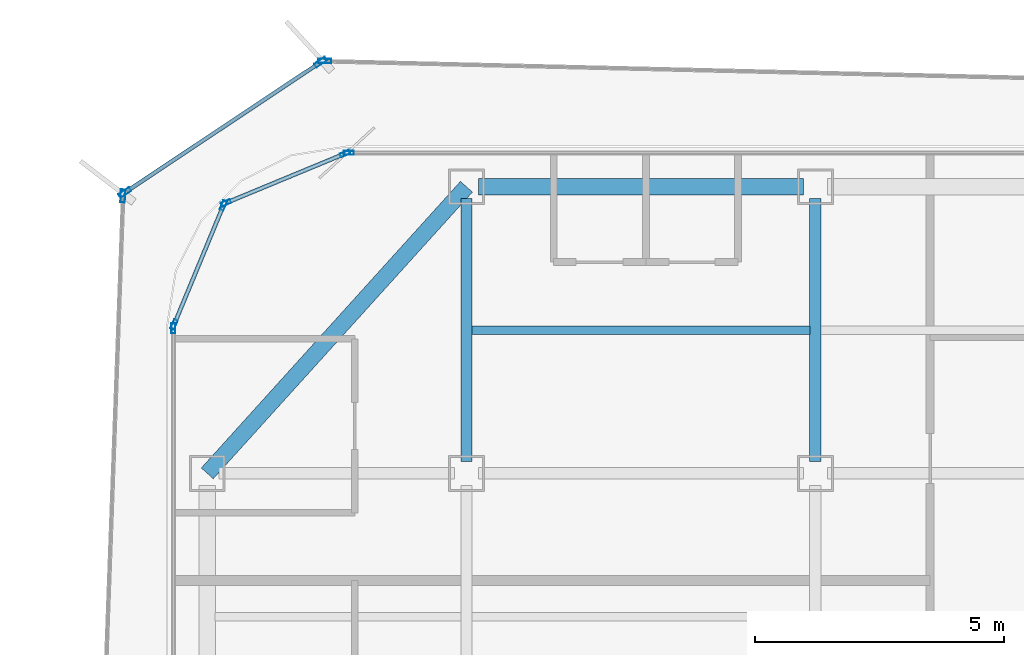
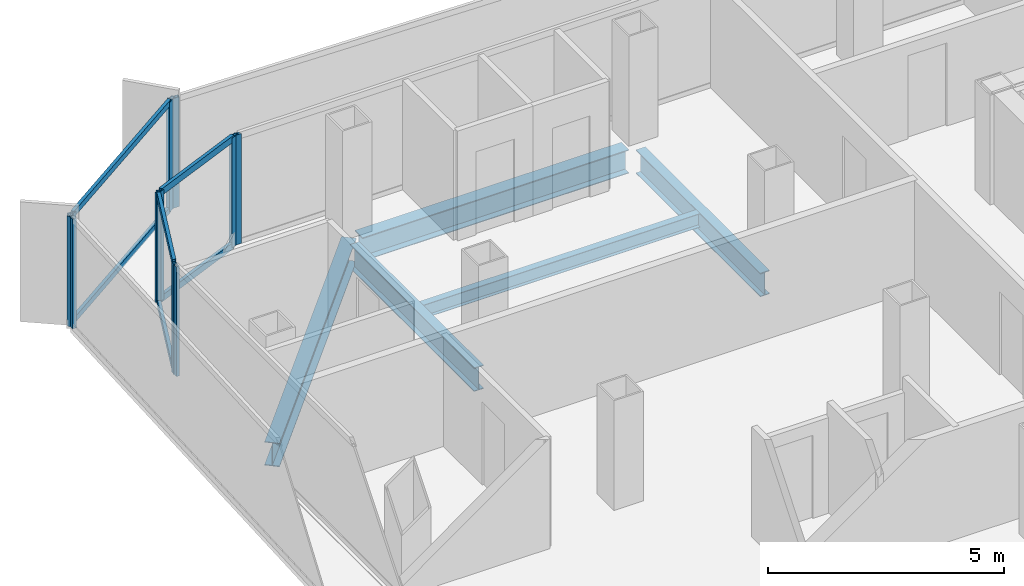
# One storey, part 6 of 16: 16 members, 5 beams, 7 elements without a shape of their own.
"""IFC4 building model written with IfcOpenShell, lengths in metres."""

from ifc_helpers import new_model, si_unit, direction, frame, origin, origin_2d, place, context, subcontext, project, spatial, hollow_rectangle, i_section, extrude, source, transform, mapped, material, layer, layer_set, material_profile, profile_set, type_object, element, aggregate, save


model = new_model("IFC4")

# Units and contexts
model_context = context("Model", 3, precision=1e-05, world=origin(), true_north=direction((0.0, 1.0)))
body_context = subcontext(model_context, "Body", "Model", "MODEL_VIEW")
ifc_project = project(units=[si_unit("LENGTHUNIT", "METRE"), si_unit("AREAUNIT", "SQUARE_METRE"), si_unit("VOLUMEUNIT", "CUBIC_METRE"), si_unit("PLANEANGLEUNIT", "RADIAN"), si_unit("MASSUNIT", "GRAM", prefix="KILO")], contexts=[model_context])

# Site, building, storey
site_placement = place(None, origin())
site = spatial("IfcSite", under=ifc_project, at=site_placement, CompositionType="ELEMENT")
building_placement = place(site_placement, origin())
building = spatial("IfcBuilding", under=site, at=building_placement, Name="Kolveth Station Tower", CompositionType="ELEMENT")
storey_placement = place(building_placement, frame((0.0, 0.0, 212.39990234375)))
storey = spatial("IfcBuildingStorey", under=building, at=storey_placement, Name="L60", CompositionType="ELEMENT", Elevation=212.39990234375)

# Beams
ifc_material_1 = material(Name="Steel S355", Category="steel")
ifc_material_profile_1 = material_profile(ifc_material_1, i_section(OverallWidth=0.323974609375, OverallDepth=0.611083984375, WebThickness=0.0126953125, FlangeThickness=0.01904296875, at=origin_2d()), Name="W610x155")
ifc_profile_set_1 = profile_set([ifc_material_profile_1], Name="Steel S355")
beam_type_1 = type_object("IfcBeamType", Name="Beam_SP2", PredefinedType="SPANDREL", material=ifc_profile_set_1)
shared_shape_1 = source(origin(), body_context, "Body", "SweptSolid", [
    extrude(i_section(OverallWidth=0.323974609375, OverallDepth=0.611083984375, WebThickness=0.0126953125, FlangeThickness=0.01904296875, at=origin_2d()), origin(), (0.0, 0.0, 1.0), 7.75244140625),
])
beam_1_placement = place(storey_placement, frame((6.0, 34.5, -0.555419921875), z_axis=(-0.670740965555, -0.74169168603, 0.0), x_axis=(0.74169168603, -0.670740965555, 0.0)))
element("IfcBeam", 1, at=beam_1_placement, inside=storey, type_object=beam_type_1, Name="L60 Corner Edge Girder BM-L60-CNR-NW", PredefinedType="SPANDREL", context=body_context, shape_type="MappedRepresentation", body=[
    mapped(shared_shape_1, transform((0.0, 0.0, 0.0), x_axis=(1.0, 0.0, 0.0), y_axis=(0.0, 1.0, 0.0), z_axis=(0.0, 0.0, 1.0), scale=1.0)),
])
shared_shape_2 = source(origin(), body_context, "Body", "SweptSolid", [
    extrude(i_section(OverallWidth=0.323974609375, OverallDepth=0.611083984375, WebThickness=0.0126953125, FlangeThickness=0.01904296875, at=origin_2d()), origin(), (0.0, 0.0, 1.0), 6.52001953125),
])
beam_2_placement = place(storey_placement, frame((6.239990234375, 34.5, -0.555419921875), z_axis=(1.0, 0.0, 0.0), x_axis=(0.0, 1.0, 0.0)))
element("IfcBeam", 2, at=beam_2_placement, inside=storey, type_object=beam_type_1, Name="L60 Perimeter Spandrel BM-L60-PN-1", PredefinedType="SPANDREL", context=body_context, shape_type="MappedRepresentation", body=[
    mapped(shared_shape_2, transform((0.0, 0.0, 0.0), x_axis=(1.0, 0.0, 0.0), y_axis=(0.0, 1.0, 0.0), z_axis=(0.0, 0.0, 1.0), scale=1.0)),
])
ifc_material_profile_2 = material_profile(ifc_material_1, i_section(OverallWidth=0.22900390625, OverallDepth=0.612060546875, WebThickness=0.011962890625, FlangeThickness=0.01953125, at=origin_2d()), Name="W610x125")
ifc_profile_set_2 = profile_set([ifc_material_profile_2], Name="Steel S355")
beam_type_2 = type_object("IfcBeamType", Name="Beam_B5", PredefinedType="BEAM", material=ifc_profile_set_2)
shared_shape_3 = source(origin(), body_context, "Body", "SweptSolid", [
    extrude(i_section(OverallWidth=0.22900390625, OverallDepth=0.612060546875, WebThickness=0.011962890625, FlangeThickness=0.01953125, at=origin_2d()), origin(), (0.0, 0.0, 1.0), 5.27001953125),
])
for number, where, z_axis, x_axis, name in (
    (3, (6.0, 28.989990234375, -0.555908203125), (0.0, 1.0, 0.0), (-1.0, 0.0, 0.0), "L60 Primary Girder BM-L60-GX60-6"),
    (4, (13.0, 28.989990234375, -0.555908203125), (0.0, 1.0, 0.0), (-1.0, 0.0, 0.0), "L60 Primary Girder BM-L60-GX130-6"),
):
    element("IfcBeam", number, at=place(storey_placement, frame(where, z_axis=z_axis, x_axis=x_axis)), inside=storey, type_object=beam_type_2, Name=name, PredefinedType="BEAM", context=body_context, shape_type="MappedRepresentation", body=[
        mapped(shared_shape_3, transform((0.0, 0.0, 0.0), x_axis=(1.0, 0.0, 0.0), y_axis=(0.0, 1.0, 0.0), z_axis=(0.0, 0.0, 1.0), scale=1.0)),
    ])
ifc_material_profile_3 = material_profile(ifc_material_1, i_section(OverallWidth=0.1708984375, OverallDepth=0.35205078125, WebThickness=0.0068359375, FlangeThickness=0.009765625, at=origin_2d()), Name="W360x44")
ifc_profile_set_3 = profile_set([ifc_material_profile_3], Name="Steel S355")
beam_type_3 = type_object("IfcBeamType", Name="Beam_J2", PredefinedType="JOIST", material=ifc_profile_set_3)
shared_shape_4 = source(origin(), body_context, "Body", "SweptSolid", [
    extrude(i_section(OverallWidth=0.1708984375, OverallDepth=0.35205078125, WebThickness=0.0068359375, FlangeThickness=0.009765625, at=origin_2d()), origin(), (0.0, 0.0, 1.0), 6.77490234375),
])
beam_3_placement = place(storey_placement, frame((6.112548828125, 31.625, -0.42578125), z_axis=(1.0, 0.0, 0.0), x_axis=(0.0, 1.0, 0.0)))
element("IfcBeam", 5, at=beam_3_placement, inside=storey, type_object=beam_type_3, Name="L60 Secondary Joist JST-L60-2-6", PredefinedType="JOIST", context=body_context, shape_type="MappedRepresentation", body=[
    mapped(shared_shape_4, transform((0.0, 0.0, 0.0), x_axis=(1.0, 0.0, 0.0), y_axis=(0.0, 1.0, 0.0), z_axis=(0.0, 0.0, 1.0), scale=1.0)),
])

# Curtain wall, member
ifc_material_2 = material(Name="Aluminium 6063-T6 and low-E dark glass", Category="aluminium")
ifc_layer_1 = layer(ifc_material_2, 0.18994140625)
ifc_layer_set_1 = layer_set([ifc_layer_1], Name="Aluminium 6063-T6 and low-E dark glass")
curtain_wall_type_1 = type_object("IfcCurtainWallType", Name="CurtainWall_CW-Z2", PredefinedType="NOTDEFINED", material=ifc_layer_set_1)
curtain_wall_1_placement = place(storey_placement, origin())
curtain_wall_1 = element("IfcCurtainWall", 6, at=curtain_wall_1_placement, inside=storey, type_object=curtain_wall_type_1, Name="L60 Inner Thermal Curtain Wall 6", PredefinedType="NOTDEFINED")
ifc_material_3 = material(Name="Black anodized aluminium 6063-T6", Category="aluminium")
ifc_material_profile_4 = material_profile(ifc_material_3, hollow_rectangle(XDim=0.080078125, YDim=0.199951171875, WallThickness=0.0048828125, at=origin_2d()), Name="ALU-80x200x5")
ifc_profile_set_4 = profile_set([ifc_material_profile_4], Name="Black anodized aluminium 6063-T6")
member_type_1 = type_object("IfcMemberType", Name="Mullion_ML2", PredefinedType="MULLION", material=ifc_profile_set_4)
shared_shape_5 = source(origin(), body_context, "Body", "SweptSolid", [
    extrude(hollow_rectangle(XDim=0.080078125, YDim=0.199951171875, WallThickness=0.0048828125, at=origin_2d()), origin(), (0.0, 0.0, 1.0), 2.840087890625),
])
member_1_placement = place(storey_placement, frame((3.639892578125, 35.179931640625, 0.0), z_axis=(0.0, 0.0, 1.0), x_axis=(0.0, -1.0, 0.0)))
member_1 = element("IfcMember", 7, at=member_1_placement, type_object=member_type_1, Name="CW-Z2 mullion 2", PredefinedType="MULLION", context=body_context, shape_type="MappedRepresentation", body=[
    mapped(shared_shape_5, transform((0.0, 0.0, 0.0), x_axis=(1.0, 0.0, 0.0), y_axis=(0.0, 1.0, 0.0), z_axis=(0.0, 0.0, 1.0), scale=1.0)),
])
aggregate(curtain_wall_1, [member_1])

# Curtain wall, members
curtain_wall_2_placement = place(storey_placement, origin())
curtain_wall_2 = element("IfcCurtainWall", 8, at=curtain_wall_2_placement, inside=storey, type_object=curtain_wall_type_1, Name="L60 Inner Thermal Curtain Wall 7", PredefinedType="NOTDEFINED")
member_2_placement = place(storey_placement, frame((3.56298828125, 35.164794921875, 0.0), z_axis=(0.0, 0.0, 1.0), x_axis=(0.382697753087, -0.923873600544, 0.0)))
member_2 = element("IfcMember", 9, at=member_2_placement, type_object=member_type_1, Name="CW-Z2 mullion 1", PredefinedType="MULLION", context=body_context, shape_type="MappedRepresentation", body=[
    mapped(shared_shape_5, transform((0.0, 0.0, 0.0), x_axis=(1.0, 0.0, 0.0), y_axis=(0.0, 1.0, 0.0), z_axis=(0.0, 0.0, 1.0), scale=1.0)),
])
member_3_placement = place(storey_placement, frame((1.17626953125, 34.176025390625, 0.0), z_axis=(0.0, 0.0, 1.0), x_axis=(0.382697753087, -0.923873600544, 0.0)))
member_3 = element("IfcMember", 10, at=member_3_placement, type_object=member_type_1, Name="CW-Z2 mullion 2", PredefinedType="MULLION", context=body_context, shape_type="MappedRepresentation", body=[
    mapped(shared_shape_5, transform((0.0, 0.0, 0.0), x_axis=(1.0, 0.0, 0.0), y_axis=(0.0, 1.0, 0.0), z_axis=(0.0, 0.0, 1.0), scale=1.0)),
])

curtain_wall_3_placement = place(storey_placement, origin())
curtain_wall_3 = element("IfcCurtainWall", 11, at=curtain_wall_3_placement, inside=storey, type_object=curtain_wall_type_1, Name="L60 Inner Thermal Curtain Wall 8", PredefinedType="NOTDEFINED")
member_4_placement = place(storey_placement, frame((1.1240234375, 34.123779296875, 0.0), z_axis=(0.0, 0.0, 1.0), x_axis=(0.923873600544, -0.382697753087, 0.0)))
member_4 = element("IfcMember", 12, at=member_4_placement, type_object=member_type_1, Name="CW-Z2 mullion 1", PredefinedType="MULLION", context=body_context, shape_type="MappedRepresentation", body=[
    mapped(shared_shape_5, transform((0.0, 0.0, 0.0), x_axis=(1.0, 0.0, 0.0), y_axis=(0.0, 1.0, 0.0), z_axis=(0.0, 0.0, 1.0), scale=1.0)),
])
member_5_placement = place(storey_placement, frame((0.13525390625, 31.737060546875, 0.0), z_axis=(0.0, 0.0, 1.0), x_axis=(0.923873600544, -0.382697753087, 0.0)))
member_5 = element("IfcMember", 13, at=member_5_placement, type_object=member_type_1, Name="CW-Z2 mullion 2", PredefinedType="MULLION", context=body_context, shape_type="MappedRepresentation", body=[
    mapped(shared_shape_5, transform((0.0, 0.0, 0.0), x_axis=(1.0, 0.0, 0.0), y_axis=(0.0, 1.0, 0.0), z_axis=(0.0, 0.0, 1.0), scale=1.0)),
])

# Curtain wall, member
curtain_wall_4_placement = place(storey_placement, origin())
curtain_wall_4 = element("IfcCurtainWall", 14, at=curtain_wall_4_placement, inside=storey, type_object=curtain_wall_type_1, Name="L60 Inner Thermal Curtain Wall 9", PredefinedType="NOTDEFINED")
member_6_placement = place(storey_placement, frame((0.1201171875, 31.659912109375, 0.0), z_axis=(0.0, 0.0, 1.0), x_axis=(1.0, 0.0, 0.0)))
member_6 = element("IfcMember", 15, at=member_6_placement, type_object=member_type_1, Name="CW-Z2 mullion 1", PredefinedType="MULLION", context=body_context, shape_type="MappedRepresentation", body=[
    mapped(shared_shape_5, transform((0.0, 0.0, 0.0), x_axis=(1.0, 0.0, 0.0), y_axis=(0.0, 1.0, 0.0), z_axis=(0.0, 0.0, 1.0), scale=1.0)),
])
aggregate(curtain_wall_4, [member_6])

ifc_material_4 = material(Name="Black anodized aluminium 6063-T6 and dark solar glass", Category="aluminium")
ifc_layer_2 = layer(ifc_material_4, 0.159912109375)
ifc_layer_set_2 = layer_set([ifc_layer_2], Name="Black anodized aluminium 6063-T6 and dark solar glass")
curtain_wall_type_2 = type_object("IfcCurtainWallType", Name="OUTER SKIN CW-OS", PredefinedType="NOTDEFINED", material=ifc_layer_set_2)
curtain_wall_5_placement = place(storey_placement, origin())
curtain_wall_5 = element("IfcCurtainWall", 16, at=curtain_wall_5_placement, inside=storey, type_object=curtain_wall_type_2, Name="L60 Outer Ventilated Skin Curtain Wall 4", PredefinedType="NOTDEFINED")
ifc_material_profile_5 = material_profile(ifc_material_3, hollow_rectangle(XDim=0.090087890625, YDim=0.260009765625, WallThickness=0.0048828125, at=origin_2d()), Name="ALU-90x260x5")
ifc_profile_set_5 = profile_set([ifc_material_profile_5], Name="Black anodized aluminium 6063-T6")
member_type_2 = type_object("IfcMemberType", Name="FIN MULLION ML-OS", PredefinedType="MULLION", material=ifc_profile_set_5)
shared_shape_6 = source(origin(), body_context, "Body", "SweptSolid", [
    extrude(hollow_rectangle(XDim=0.090087890625, YDim=0.260009765625, WallThickness=0.0048828125, at=origin_2d()), origin(), (0.0, 0.0, 1.0), 2.840087890625),
])
member_7_placement = place(storey_placement, frame((3.157470703125, 37.0224609375, 0.0), z_axis=(0.0, 0.0, 1.0), x_axis=(-0.023666078914, -0.999719919132, 0.0)))
member_7 = element("IfcMember", 17, at=member_7_placement, type_object=member_type_2, Name="CW-OS mullion 2", PredefinedType="MULLION", context=body_context, shape_type="MappedRepresentation", body=[
    mapped(shared_shape_6, transform((0.0, 0.0, 0.0), x_axis=(1.0, 0.0, 0.0), y_axis=(0.0, 1.0, 0.0), z_axis=(0.0, 0.0, 1.0), scale=1.0)),
])
aggregate(curtain_wall_5, [member_7])

# Curtain wall, members
curtain_wall_6_placement = place(storey_placement, origin())
curtain_wall_6 = element("IfcCurtainWall", 18, at=curtain_wall_6_placement, inside=storey, type_object=curtain_wall_type_2, Name="L60 Outer Ventilated Skin Curtain Wall 5", PredefinedType="NOTDEFINED")
member_8_placement = place(storey_placement, frame((3.074951171875, 36.99853515625, 0.0), z_axis=(0.0, 0.0, 1.0), x_axis=(0.553836003302, -0.832625775152, 0.0)))
member_8 = element("IfcMember", 19, at=member_8_placement, type_object=member_type_2, Name="CW-OS mullion 1", PredefinedType="MULLION", context=body_context, shape_type="MappedRepresentation", body=[
    mapped(shared_shape_6, transform((0.0, 0.0, 0.0), x_axis=(1.0, 0.0, 0.0), y_axis=(0.0, 1.0, 0.0), z_axis=(0.0, 0.0, 1.0), scale=1.0)),
])
member_9_placement = place(storey_placement, frame((-0.853515625, 34.385498046875, 0.0), z_axis=(0.0, 0.0, 1.0), x_axis=(0.553836003302, -0.832625775152, 0.0)))
member_9 = element("IfcMember", 20, at=member_9_placement, type_object=member_type_2, Name="CW-OS mullion 2", PredefinedType="MULLION", context=body_context, shape_type="MappedRepresentation", body=[
    mapped(shared_shape_6, transform((0.0, 0.0, 0.0), x_axis=(1.0, 0.0, 0.0), y_axis=(0.0, 1.0, 0.0), z_axis=(0.0, 0.0, 1.0), scale=1.0)),
])

# Curtain wall, member
curtain_wall_7_placement = place(storey_placement, origin())
curtain_wall_7 = element("IfcCurtainWall", 21, at=curtain_wall_7_placement, inside=storey, type_object=curtain_wall_type_2, Name="L60 Outer Ventilated Skin Curtain Wall 6", PredefinedType="NOTDEFINED")
member_10_placement = place(storey_placement, frame((-0.892822265625, 34.3154296875, 0.0), z_axis=(0.0, 0.0, 1.0), x_axis=(0.999341223717, -0.036292128332, 0.0)))
member_10 = element("IfcMember", 22, at=member_10_placement, type_object=member_type_2, Name="CW-OS mullion 1", PredefinedType="MULLION", context=body_context, shape_type="MappedRepresentation", body=[
    mapped(shared_shape_6, transform((0.0, 0.0, 0.0), x_axis=(1.0, 0.0, 0.0), y_axis=(0.0, 1.0, 0.0), z_axis=(0.0, 0.0, 1.0), scale=1.0)),
])
aggregate(curtain_wall_7, [member_10])

# Member
ifc_material_profile_6 = material_profile(ifc_material_3, hollow_rectangle(XDim=0.080078125, YDim=0.169921875, WallThickness=0.0048828125, at=origin_2d()), Name="ALU-80x170x5")
ifc_profile_set_6 = profile_set([ifc_material_profile_6], Name="Black anodized aluminium 6063-T6")
member_type_3 = type_object("IfcMemberType", Name="Transom_TR2", PredefinedType="USERDEFINED", material=ifc_profile_set_6)
shared_shape_7 = source(origin(), body_context, "Body", "SweptSolid", [
    extrude(hollow_rectangle(XDim=0.080078125, YDim=0.169921875, WallThickness=0.0048828125, at=origin_2d()), origin(), (0.0, 0.0, 1.0), 2.50341796875),
])
member_11_placement = place(storey_placement, frame((3.526123046875, 35.1494140625, 0.0400390625), z_axis=(-0.923888472039, -0.382661849723, 0.0), x_axis=(0.382661849723, -0.923888472039, 0.0)))
member_11 = element("IfcMember", 23, at=member_11_placement, type_object=member_type_3, Name="CW-Z2 transom 1.1", ObjectType="TRANSOM", PredefinedType="USERDEFINED", context=body_context, shape_type="MappedRepresentation", body=[
    mapped(shared_shape_7, transform((0.0, 0.0, 0.0), x_axis=(1.0, 0.0, 0.0), y_axis=(0.0, 1.0, 0.0), z_axis=(0.0, 0.0, 1.0), scale=1.0)),
])

member_12_placement = place(storey_placement, frame((3.526123046875, 35.1494140625, 2.800048828125), z_axis=(-0.923888472039, -0.382661849723, 0.0), x_axis=(0.382661849723, -0.923888472039, 0.0)))
member_12 = element("IfcMember", 24, at=member_12_placement, type_object=member_type_3, Name="CW-Z2 transom 1.2", ObjectType="TRANSOM", PredefinedType="USERDEFINED", context=body_context, shape_type="MappedRepresentation", body=[
    mapped(shared_shape_7, transform((0.0, 0.0, 0.0), x_axis=(1.0, 0.0, 0.0), y_axis=(0.0, 1.0, 0.0), z_axis=(0.0, 0.0, 1.0), scale=1.0)),
])

aggregate(curtain_wall_2, [member_2, member_3, member_11, member_12])

member_13_placement = place(storey_placement, frame((1.108642578125, 34.086669921875, 0.0400390625), z_axis=(-0.382696328882, -0.923874190494, 0.0), x_axis=(0.923874190494, -0.382696328882, 0.0)))
member_13 = element("IfcMember", 25, at=member_13_placement, type_object=member_type_3, Name="CW-Z2 transom 1.1", ObjectType="TRANSOM", PredefinedType="USERDEFINED", context=body_context, shape_type="MappedRepresentation", body=[
    mapped(shared_shape_7, transform((0.0, 0.0, 0.0), x_axis=(1.0, 0.0, 0.0), y_axis=(0.0, 1.0, 0.0), z_axis=(0.0, 0.0, 1.0), scale=1.0)),
])

member_14_placement = place(storey_placement, frame((1.108642578125, 34.086669921875, 2.800048828125), z_axis=(-0.382696328882, -0.923874190494, 0.0), x_axis=(0.923874190494, -0.382696328882, 0.0)))
member_14 = element("IfcMember", 26, at=member_14_placement, type_object=member_type_3, Name="CW-Z2 transom 1.2", ObjectType="TRANSOM", PredefinedType="USERDEFINED", context=body_context, shape_type="MappedRepresentation", body=[
    mapped(shared_shape_7, transform((0.0, 0.0, 0.0), x_axis=(1.0, 0.0, 0.0), y_axis=(0.0, 1.0, 0.0), z_axis=(0.0, 0.0, 1.0), scale=1.0)),
])

aggregate(curtain_wall_3, [member_4, member_5, member_13, member_14])

ifc_material_profile_7 = material_profile(ifc_material_3, hollow_rectangle(XDim=0.080078125, YDim=0.14990234375, WallThickness=0.0048828125, at=origin_2d()), Name="ALU-80x150x5")
ifc_profile_set_7 = profile_set([ifc_material_profile_7], Name="Black anodized aluminium 6063-T6")
member_type_4 = type_object("IfcMemberType", Name="Transom_TR-OS", PredefinedType="USERDEFINED", material=ifc_profile_set_7)
shared_shape_8 = source(origin(), body_context, "Body", "SweptSolid", [
    extrude(hollow_rectangle(XDim=0.080078125, YDim=0.14990234375, WallThickness=0.0048828125, at=origin_2d()), origin(), (0.0, 0.0, 1.0), 4.628173828125),
])
member_15_placement = place(storey_placement, frame((3.037353515625, 36.9736328125, 0.0400390625), z_axis=(-0.832626051612, -0.553835587676, 0.0), x_axis=(0.553835587676, -0.832626051612, 0.0)))
member_15 = element("IfcMember", 27, at=member_15_placement, type_object=member_type_4, Name="CW-OS transom 1.1", ObjectType="TRANSOM", PredefinedType="USERDEFINED", context=body_context, shape_type="MappedRepresentation", body=[
    mapped(shared_shape_8, transform((0.0, 0.0, 0.0), x_axis=(1.0, 0.0, 0.0), y_axis=(0.0, 1.0, 0.0), z_axis=(0.0, 0.0, 1.0), scale=1.0)),
])

member_16_placement = place(storey_placement, frame((3.037353515625, 36.9736328125, 2.800048828125), z_axis=(-0.832626051612, -0.553835587676, 0.0), x_axis=(0.553835587676, -0.832626051612, 0.0)))
member_16 = element("IfcMember", 28, at=member_16_placement, type_object=member_type_4, Name="CW-OS transom 1.2", ObjectType="TRANSOM", PredefinedType="USERDEFINED", context=body_context, shape_type="MappedRepresentation", body=[
    mapped(shared_shape_8, transform((0.0, 0.0, 0.0), x_axis=(1.0, 0.0, 0.0), y_axis=(0.0, 1.0, 0.0), z_axis=(0.0, 0.0, 1.0), scale=1.0)),
])

aggregate(curtain_wall_6, [member_8, member_9, member_15, member_16])

save(model, "model.ifc")
